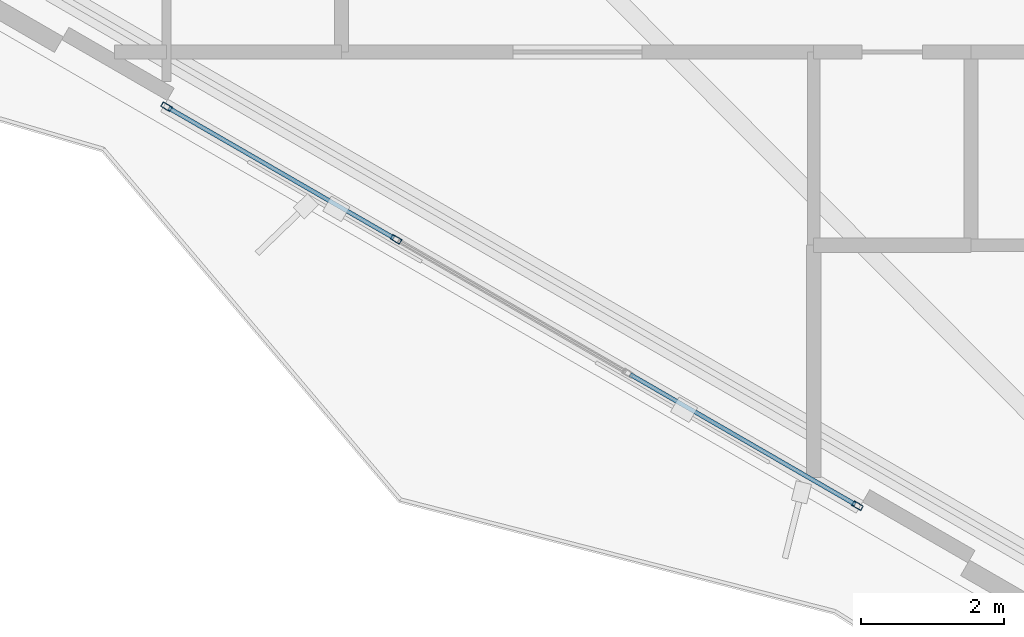
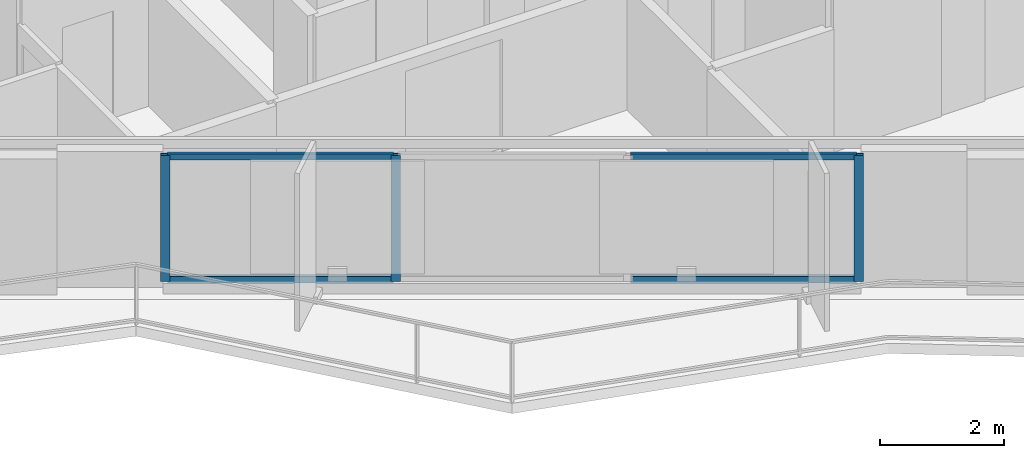
# One storey, part 2 of 22: 7 members, 1 element without a shape of its own.
"""IFC4 building model written with IfcOpenShell, lengths in metres."""

from ifc_helpers import new_model, si_unit, direction, frame, origin, origin_2d, place, context, subcontext, project, spatial, hollow_rectangle, extrude, material, layer, layer_set, material_profile, profile_set, type_object, element, aggregate, save


model = new_model("IFC4")

# Units and contexts
model_context = context("Model", 3, precision=1e-05, world=origin(), true_north=direction((0.0, 1.0)))
body_context = subcontext(model_context, "Body", "Model", "MODEL_VIEW")
ifc_project = project(units=[si_unit("LENGTHUNIT", "METRE"), si_unit("AREAUNIT", "SQUARE_METRE"), si_unit("VOLUMEUNIT", "CUBIC_METRE"), si_unit("PLANEANGLEUNIT", "RADIAN"), si_unit("MASSUNIT", "GRAM", prefix="KILO")], contexts=[model_context])

# Site, building, storey
site_placement = place(None, origin())
site = spatial("IfcSite", under=ifc_project, at=site_placement, CompositionType="ELEMENT")
building_placement = place(site_placement, origin())
building = spatial("IfcBuilding", under=site, at=building_placement, Name="Mersakhor Tower and Convention Hall", CompositionType="ELEMENT")
storey_placement = place(building_placement, frame((0.0, 0.0, 103.199951171875)))
storey = spatial("IfcBuildingStorey", under=building, at=storey_placement, Name="L28", CompositionType="ELEMENT", Elevation=103.199951171875)

# Curtain wall, members
ifc_material_1 = material(Name="Dark solar low-E aluminium curtain wall", Category="aluminium")
ifc_layer = layer(ifc_material_1, 0.159912109375)
ifc_layer_set = layer_set([ifc_layer], Name="Dark solar low-E aluminium curtain wall")
curtain_wall_type = type_object("IfcCurtainWallType", Name="CW-SYS-01", PredefinedType="USERDEFINED", material=ifc_layer_set)
curtain_wall_placement = place(storey_placement, origin())
curtain_wall = element("IfcCurtainWall", 1, at=curtain_wall_placement, inside=storey, type_object=curtain_wall_type, Name="L28 Dark-Glass Curtain Wall F3-B2", ObjectType="CURTAIN WALL", PredefinedType="USERDEFINED")
ifc_material_2 = material(Name="Anodised aluminium EN AW-6063 T6", Category="aluminium")
ifc_material_profile_1 = material_profile(ifc_material_2, hollow_rectangle(XDim=0.074951171875, YDim=0.14990234375, WallThickness=0.00634765625, at=origin_2d()), Name="RHS 150x75x6.3")
ifc_profile_set_1 = profile_set([ifc_material_profile_1], Name="Anodised aluminium EN AW-6063 T6")
member_type_1 = type_object("IfcMemberType", Name="CWM-150x75", PredefinedType="MULLION", material=ifc_profile_set_1)
member_1_placement = place(storey_placement, frame((26.812744140625, 11.80712890625, 0.199951171875), z_axis=(0.0, 0.0, 1.0), x_axis=(-0.499997904985, -0.866026613339, 0.0)))
member_1 = element("IfcMember", 2, at=member_1_placement, type_object=member_type_1, Name="CW-01 mullion 1", PredefinedType="MULLION", context=body_context, shape_type="SweptSolid", body=[
    extrude(hollow_rectangle(XDim=0.074951171875, YDim=0.14990234375, WallThickness=0.00634765625, at=origin_2d()), origin(), (0.0, 0.0, 1.0), 2.47021484375),
])
member_2_placement = place(storey_placement, frame((20.36181640625, 15.531494140625, 0.199951171875), z_axis=(0.0, 0.0, 1.0), x_axis=(-0.499997904985, -0.866026613339, 0.0)))
member_2 = element("IfcMember", 3, at=member_2_placement, type_object=member_type_1, Name="CW-01 mullion 3", PredefinedType="MULLION", context=body_context, shape_type="SweptSolid", body=[
    extrude(hollow_rectangle(XDim=0.074951171875, YDim=0.14990234375, WallThickness=0.00634765625, at=origin_2d()), origin(), (0.0, 0.0, 1.0), 2.47021484375),
])
member_3_placement = place(storey_placement, frame((17.152587890625, 17.38427734375, 0.199951171875), z_axis=(0.0, 0.0, 1.0), x_axis=(-0.499997904985, -0.866026613339, 0.0)))
member_3 = element("IfcMember", 4, at=member_3_placement, type_object=member_type_1, Name="CW-01 mullion 4", PredefinedType="MULLION", context=body_context, shape_type="SweptSolid", body=[
    extrude(hollow_rectangle(XDim=0.074951171875, YDim=0.14990234375, WallThickness=0.00634765625, at=origin_2d()), origin(), (0.0, 0.0, 1.0), 2.47021484375),
])
ifc_material_3 = material(Name="Anodised aluminium EN AW-6063 T6", Category="aluminium")
ifc_material_profile_2 = material_profile(ifc_material_3, hollow_rectangle(XDim=0.06005859375, YDim=0.1201171875, WallThickness=0.0048828125, at=origin_2d()), Name="RHS 120x60x5")
ifc_profile_set_2 = profile_set([ifc_material_profile_2], Name="Anodised aluminium EN AW-6063 T6")
member_type_2 = type_object("IfcMemberType", Name="CWT-120x60", PredefinedType="USERDEFINED", material=ifc_profile_set_2)
member_4_placement = place(storey_placement, frame((26.7802734375, 11.82568359375, 0.22998046875), z_axis=(-0.866016497289, 0.500015426185, 0.0), x_axis=(-0.500015426185, -0.866016497289, 0.0)))
member_4 = element("IfcMember", 5, at=member_4_placement, type_object=member_type_2, Name="CW-01 transom 1.1", ObjectType="TRANSOM", PredefinedType="USERDEFINED", context=body_context, shape_type="SweptSolid", body=[
    extrude(hollow_rectangle(XDim=0.06005859375, YDim=0.1201171875, WallThickness=0.0048828125, at=origin_2d()), origin(), (0.0, 0.0, 1.0), 3.630859375),
])
member_5_placement = place(storey_placement, frame((26.7802734375, 11.82568359375, 2.64013671875), z_axis=(-0.866016497289, 0.500015426185, 0.0), x_axis=(-0.500015426185, -0.866016497289, 0.0)))
member_5 = element("IfcMember", 6, at=member_5_placement, type_object=member_type_2, Name="CW-01 transom 1.2", ObjectType="TRANSOM", PredefinedType="USERDEFINED", context=body_context, shape_type="SweptSolid", body=[
    extrude(hollow_rectangle(XDim=0.06005859375, YDim=0.1201171875, WallThickness=0.0048828125, at=origin_2d()), origin(), (0.0, 0.0, 1.0), 3.630859375),
])
member_6_placement = place(storey_placement, frame((20.329345703125, 15.55029296875, 0.22998046875), z_axis=(-0.866045614266, 0.499964992784, 0.0), x_axis=(-0.499964992784, -0.866045614266, 0.0)))
member_6 = element("IfcMember", 7, at=member_6_placement, type_object=member_type_2, Name="CW-01 transom 3.1", ObjectType="TRANSOM", PredefinedType="USERDEFINED", context=body_context, shape_type="SweptSolid", body=[
    extrude(hollow_rectangle(XDim=0.06005859375, YDim=0.1201171875, WallThickness=0.0048828125, at=origin_2d()), origin(), (0.0, 0.0, 1.0), 3.630615234375),
])
member_7_placement = place(storey_placement, frame((20.329345703125, 15.55029296875, 2.64013671875), z_axis=(-0.866045614266, 0.499964992784, 0.0), x_axis=(-0.499964992784, -0.866045614266, 0.0)))
member_7 = element("IfcMember", 8, at=member_7_placement, type_object=member_type_2, Name="CW-01 transom 3.2", ObjectType="TRANSOM", PredefinedType="USERDEFINED", context=body_context, shape_type="SweptSolid", body=[
    extrude(hollow_rectangle(XDim=0.06005859375, YDim=0.1201171875, WallThickness=0.0048828125, at=origin_2d()), origin(), (0.0, 0.0, 1.0), 3.630615234375),
])
aggregate(curtain_wall, [member_1, member_2, member_3, member_4, member_5, member_6, member_7])

save(model, "model.ifc")
